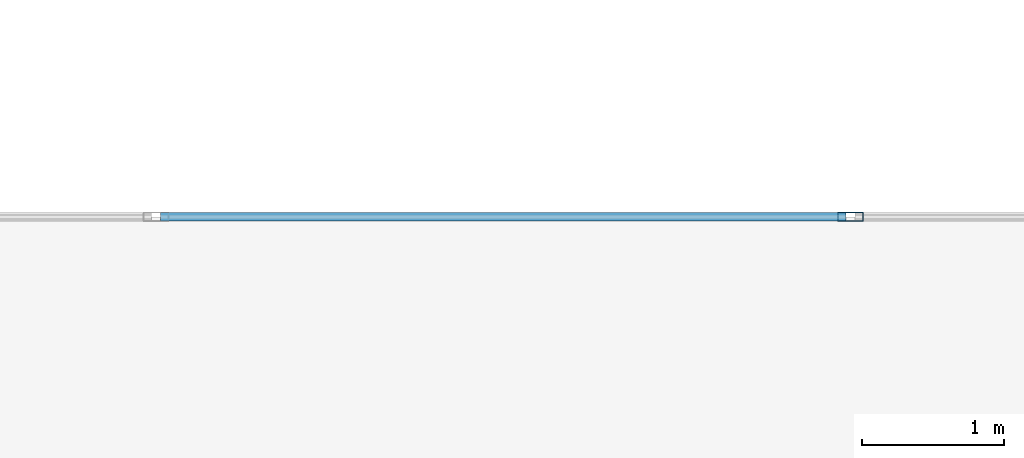
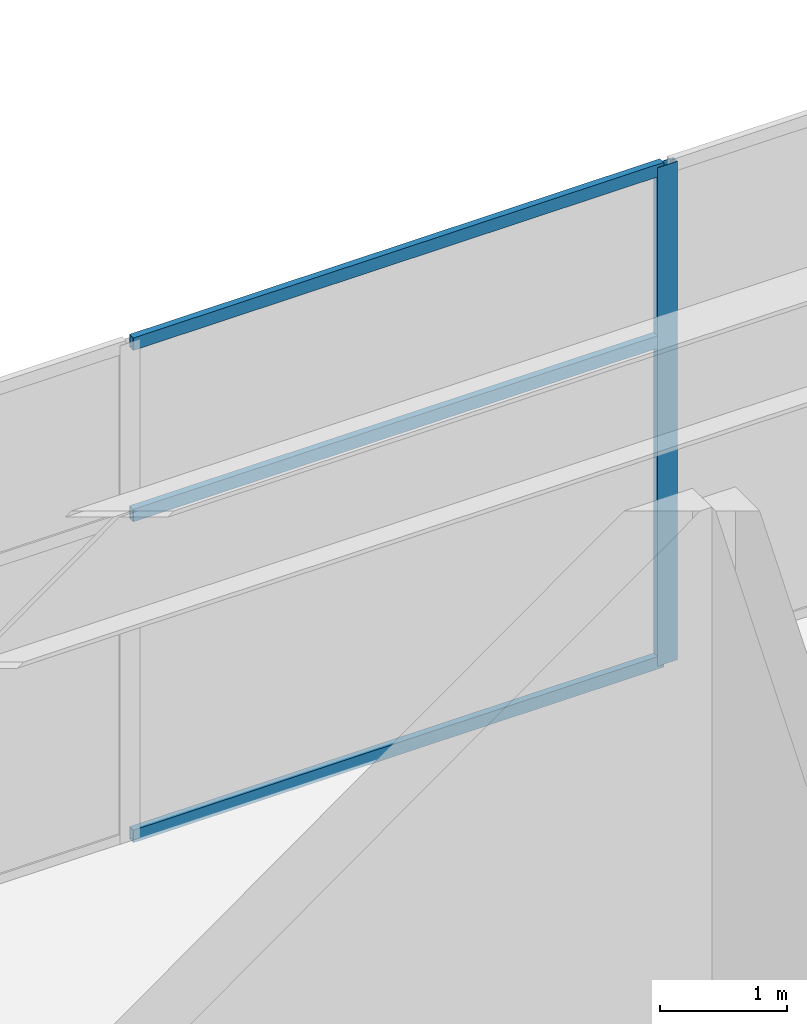
# One storey, part 17 of 29: 4 members, 1 element without a shape of its own.
"""IFC4 building model written with IfcOpenShell, lengths in metres."""

from ifc_helpers import new_model, si_unit, direction, frame, origin, origin_2d, place, context, subcontext, project, spatial, hollow_rectangle, extrude, material, layer, layer_set, material_profile, profile_set, type_object, element, aggregate, save


model = new_model("IFC4")

# Units and contexts
model_context = context("Model", 3, precision=1e-05, world=origin(), true_north=direction((0.0, 1.0)))
body_context = subcontext(model_context, "Body", "Model", "MODEL_VIEW")
ifc_project = project(units=[si_unit("LENGTHUNIT", "METRE"), si_unit("AREAUNIT", "SQUARE_METRE"), si_unit("VOLUMEUNIT", "CUBIC_METRE"), si_unit("PLANEANGLEUNIT", "RADIAN"), si_unit("MASSUNIT", "GRAM", prefix="KILO")], contexts=[model_context])

# Site, building, storey
site_placement = place(None, origin())
site = spatial("IfcSite", under=ifc_project, at=site_placement, CompositionType="ELEMENT")
building_placement = place(site_placement, origin())
building = spatial("IfcBuilding", under=site, at=building_placement, Name="Mawjaban Terraces University", CompositionType="ELEMENT")
storey_placement = place(building_placement, frame((0.0, 0.0, 20.800048828125)))
storey = spatial("IfcBuildingStorey", under=building, at=storey_placement, Name="L04", CompositionType="ELEMENT", Elevation=20.800048828125)

# Curtain wall, members
ifc_material_1 = material(Name="Anodised aluminium 6063-T6 and solar-control low-E glass", Category="aluminium")
ifc_layer = layer(ifc_material_1, 0.175048828125)
ifc_layer_set = layer_set([ifc_layer], Name="Anodised aluminium 6063-T6 and solar-control low-E glass")
curtain_wall_type = type_object("IfcCurtainWallType", Name="CWSystem_02_PodiumLibrary", PredefinedType="NOTDEFINED", material=ifc_layer_set)
curtain_wall_placement = place(storey_placement, origin())
curtain_wall = element("IfcCurtainWall", 1, at=curtain_wall_placement, inside=storey, type_object=curtain_wall_type, Name="L04 Curtain Wall CW-02 Run 5.1", PredefinedType="NOTDEFINED")
ifc_material_2 = material(Name="Anodised aluminium 6063-T6", Category="aluminium")
ifc_material_profile_1 = material_profile(ifc_material_2, hollow_rectangle(XDim=0.06494140625, YDim=0.179931640625, WallThickness=0.00390625, at=origin_2d()), Name="ALU180X65X4")
ifc_profile_set_1 = profile_set([ifc_material_profile_1], Name="Anodised aluminium 6063-T6")
member_type_1 = type_object("IfcMemberType", Name="Mullion_CW-02", PredefinedType="MULLION", material=ifc_profile_set_1)
member_1_placement = place(storey_placement, frame((68.625, 32.0, 0.0), z_axis=(0.0, 0.0, 1.0), x_axis=(0.0, -1.0, 0.0)))
member_1 = element("IfcMember", 2, at=member_1_placement, type_object=member_type_1, Name="CW-02 mullion 2", PredefinedType="MULLION", context=body_context, shape_type="SweptSolid", body=[
    extrude(hollow_rectangle(XDim=0.06494140625, YDim=0.179931640625, WallThickness=0.00390625, at=origin_2d()), origin(), (0.0, 0.0, 1.0), 4.780029296875),
])
ifc_material_profile_2 = material_profile(ifc_material_2, hollow_rectangle(XDim=0.06005859375, YDim=0.1201171875, WallThickness=0.00341796875, at=origin_2d()), Name="ALU120X60X3.5")
ifc_profile_set_2 = profile_set([ifc_material_profile_2], Name="Anodised aluminium 6063-T6")
member_type_2 = type_object("IfcMemberType", Name="Transom_CW-02", PredefinedType="NOTDEFINED", material=ifc_profile_set_2)
member_2_placement = place(storey_placement, frame((68.592529296875, 32.0, 0.030029296875), z_axis=(-1.0, 0.0, 0.0), x_axis=(0.0, -1.0, 0.0)))
member_2 = element("IfcMember", 3, at=member_2_placement, type_object=member_type_2, Name="CW-02 transom 2.1", ObjectType="TRANSOM", PredefinedType="USERDEFINED", context=body_context, shape_type="SweptSolid", body=[
    extrude(hollow_rectangle(XDim=0.06005859375, YDim=0.1201171875, WallThickness=0.00341796875, at=origin_2d()), origin(), (0.0, 0.0, 1.0), 4.81005859375),
])
member_3_placement = place(storey_placement, frame((68.592529296875, 32.0, 3.10693359375), z_axis=(-1.0, 0.0, 0.0), x_axis=(0.0, -1.0, 0.0)))
member_3 = element("IfcMember", 4, at=member_3_placement, type_object=member_type_2, Name="CW-02 transom 2.2", ObjectType="TRANSOM", PredefinedType="USERDEFINED", context=body_context, shape_type="SweptSolid", body=[
    extrude(hollow_rectangle(XDim=0.06005859375, YDim=0.1201171875, WallThickness=0.00341796875, at=origin_2d()), origin(), (0.0, 0.0, 1.0), 4.81005859375),
])
member_4_placement = place(storey_placement, frame((68.592529296875, 32.0, 4.75), z_axis=(-1.0, 0.0, 0.0), x_axis=(0.0, -1.0, 0.0)))
member_4 = element("IfcMember", 5, at=member_4_placement, type_object=member_type_2, Name="CW-02 transom 2.3", ObjectType="TRANSOM", PredefinedType="USERDEFINED", context=body_context, shape_type="SweptSolid", body=[
    extrude(hollow_rectangle(XDim=0.06005859375, YDim=0.1201171875, WallThickness=0.00341796875, at=origin_2d()), origin(), (0.0, 0.0, 1.0), 4.81005859375),
])
aggregate(curtain_wall, [member_1, member_2, member_3, member_4])

save(model, "model.ifc")
